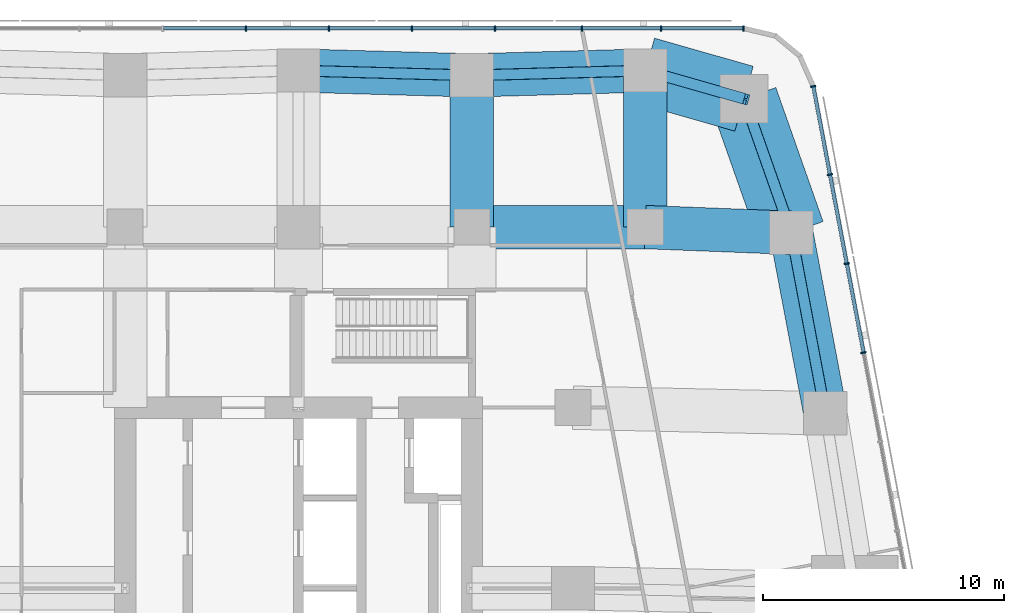
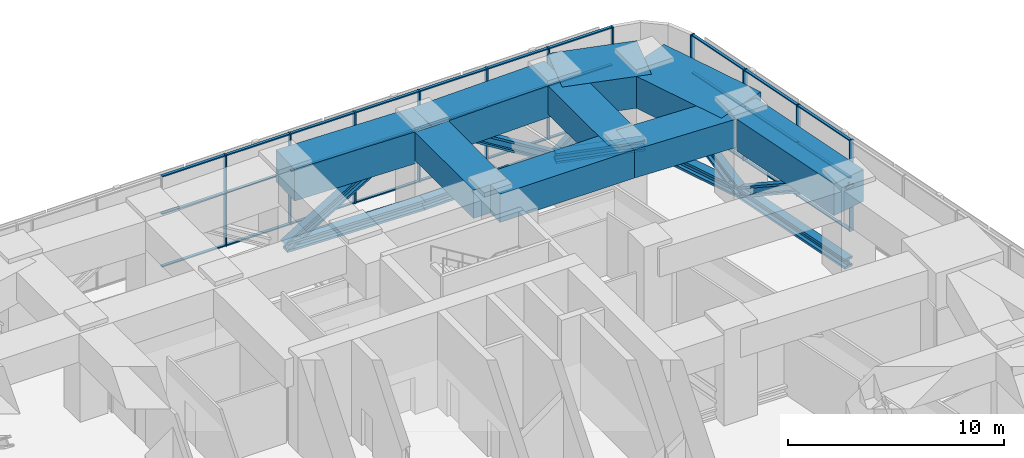
# One storey, part 8 of 17: 51 members, 9 beams, 2 elements without a shape of their own.
"""IFC4 building model written with IfcOpenShell, lengths in metres."""

from ifc_helpers import new_model, si_unit, direction, frame, origin, origin_2d, place, context, subcontext, project, spatial, rectangle, i_section, extrude, material, material_profile, profile_set, type_object, element, aggregate, save


model = new_model("IFC4")

# Units and contexts
model_context = context("Model", 3, precision=1e-05, world=origin(), true_north=direction((0.0, 1.0)))
body_context = subcontext(model_context, "Body", "Model", "MODEL_VIEW")
ifc_project = project(units=[si_unit("LENGTHUNIT", "METRE"), si_unit("AREAUNIT", "SQUARE_METRE"), si_unit("VOLUMEUNIT", "CUBIC_METRE"), si_unit("PLANEANGLEUNIT", "RADIAN"), si_unit("MASSUNIT", "GRAM", prefix="KILO")], contexts=[model_context])

# Site, building, storey
site_placement = place(None, origin())
site = spatial("IfcSite", under=ifc_project, at=site_placement, CompositionType="ELEMENT")
building_placement = place(site_placement, origin())
building = spatial("IfcBuilding", under=site, at=building_placement, Name="Sheger Commons Tower", CompositionType="ELEMENT")
storey_placement = place(building_placement, frame((0.0, 0.0, 188.300048828125)))
storey = spatial("IfcBuildingStorey", under=building, at=storey_placement, Name="L48", CompositionType="ELEMENT", Elevation=188.300048828125)

# Beams
ifc_material_1 = material(Name="Concrete C50/60", Category="concrete")
ifc_material_profile_1 = material_profile(ifc_material_1, rectangle(XDim=1.800048828125, YDim=1.60009765625, at=origin_2d()), Name="RC 1800x1600")
ifc_profile_set_1 = profile_set([ifc_material_profile_1], Name="Concrete C50/60")
beam_type_1 = type_object("IfcBeamType", Name="BEAM RC 1800x1600", PredefinedType="BEAM", material=ifc_profile_set_1)
beam_1_placement = place(storey_placement, frame((28.800048828125, 37.5, 4.349853515625), z_axis=(1.0, 0.0, 0.0), x_axis=(0.0, 1.0, 0.0)))
element("IfcBeam", 1, at=beam_1_placement, inside=storey, type_object=beam_type_1, Name="Beam 5/F-6/F under L49", PredefinedType="BEAM", context=body_context, shape_type="SweptSolid", body=[
    extrude(rectangle(XDim=1.800048828125, YDim=1.60009765625, at=origin_2d()), origin(), (0.0, 0.0, 1.0), 7.199951171875),
])
beam_2_placement = place(storey_placement, frame((36.0, 37.5, 4.349853515625), z_axis=(0.99923673074, -0.039063486011, 0.0), x_axis=(0.039063486011, 0.99923673074, 0.0)))
element("IfcBeam", 2, at=beam_2_placement, inside=storey, type_object=beam_type_1, Name="Beam 6/F-E/F under L49", PredefinedType="BEAM", context=body_context, shape_type="SweptSolid", body=[
    extrude(rectangle(XDim=1.800048828125, YDim=1.60009765625, at=origin_2d()), origin(), (0.0, 0.0, 1.0), 6.068603515625),
])
beam_3_placement = place(storey_placement, frame((28.800048828125, 37.5, 4.349853515625), z_axis=(0.0, 1.0, 0.0), x_axis=(-1.0, 0.0, 0.0)))
element("IfcBeam", 3, at=beam_3_placement, inside=storey, type_object=beam_type_1, Name="Beam 5/F-5/G under L49", PredefinedType="BEAM", context=body_context, shape_type="SweptSolid", body=[
    extrude(rectangle(XDim=1.800048828125, YDim=1.60009765625, at=origin_2d()), origin(), (0.0, 0.0, 1.0), 6.300048828125),
])
beam_4_placement = place(storey_placement, frame((36.0, 37.5, 4.349853515625), z_axis=(0.0, 1.0, 0.0), x_axis=(-1.0, 0.0, 0.0)))
element("IfcBeam", 4, at=beam_4_placement, inside=storey, type_object=beam_type_1, Name="Beam 6/F-6/G under L49", PredefinedType="BEAM", context=body_context, shape_type="SweptSolid", body=[
    extrude(rectangle(XDim=1.800048828125, YDim=1.60009765625, at=origin_2d()), origin(), (0.0, 0.0, 1.0), 6.5),
])

# Members
ifc_material_2 = material(Name="Steel S460", Category="steel")
ifc_material_profile_2 = material_profile(ifc_material_2, i_section(OverallWidth=0.44189453125, OverallDepth=0.531005859375, WebThickness=0.06591796875, FlangeThickness=0.10595703125, at=origin_2d()), Name="HD 400x900")
ifc_profile_set_2 = profile_set([ifc_material_profile_2], Name="Steel S460")
member_type_1 = type_object("IfcMemberType", Name="BRACE HD 400x900", PredefinedType="BRACE", material=ifc_profile_set_2)
member_1_placement = place(storey_placement, frame((42.06396484375, 37.262939453125, 0.300048828125), z_axis=(0.159358767921, -0.844051956988, 0.51203620672), x_axis=(0.982639655108, 0.18552441405, 0.0)))
element("IfcMember", 5, at=member_1_placement, inside=storey, type_object=member_type_1, Name="Belt truss diagonal 43.480,29.763-42.064,37.263", PredefinedType="BRACE", context=body_context, shape_type="SweptSolid", body=[
    extrude(i_section(OverallWidth=0.44189453125, OverallDepth=0.531005859375, WebThickness=0.06591796875, FlangeThickness=0.10595703125, at=origin_2d()), origin(), (0.0, 0.0, 1.0), 8.8857421875),
])
member_2_placement = place(storey_placement, frame((42.06396484375, 37.262939453125, 0.300048828125), z_axis=(-0.26324846721, 0.746995370556, 0.61049009892), x_axis=(-0.943147526102, -0.332374403357, 0.0)))
element("IfcMember", 6, at=member_2_placement, inside=storey, type_object=member_type_1, Name="Belt truss diagonal 42.064,37.263-40.102,42.830", PredefinedType="BRACE", context=body_context, shape_type="SweptSolid", body=[
    extrude(i_section(OverallWidth=0.44189453125, OverallDepth=0.531005859375, WebThickness=0.06591796875, FlangeThickness=0.10595703125, at=origin_2d()), origin(), (0.0, 0.0, 1.0), 7.45263671875),
])
member_3_placement = place(storey_placement, frame((36.0, 44.0, 0.300048828125), z_axis=(0.657729176503, -0.187587085692, 0.72952273142), x_axis=(0.274267541221, 0.961653428129, 0.0)))
element("IfcMember", 7, at=member_3_placement, inside=storey, type_object=member_type_1, Name="Belt truss diagonal 40.102,42.830-36.000,44.000", PredefinedType="BRACE", context=body_context, shape_type="SweptSolid", body=[
    extrude(i_section(OverallWidth=0.44189453125, OverallDepth=0.531005859375, WebThickness=0.06591796875, FlangeThickness=0.10595703125, at=origin_2d()), origin(), (0.0, 0.0, 1.0), 6.236572265625),
])
for number, where, z_axis, x_axis, name in (
    (8, (36.0, 44.0, 0.300048828125), (-0.845125233845, -0.023470128735, 0.534052892677), (0.027760481514, -0.999614603568, 0.0), "Belt truss diagonal 36.000,44.000-28.800,43.800"),
    (9, (21.60009765625, 44.0, 0.300048828125), (0.845125233845, -0.023470128735, 0.534052892677), (0.027760481514, 0.999614603568, 0.0), "Belt truss diagonal 28.800,43.800-21.600,44.000"),
):
    element("IfcMember", number, at=place(storey_placement, frame(where, z_axis=z_axis, x_axis=x_axis)), inside=storey, type_object=member_type_1, Name=name, PredefinedType="BRACE", context=body_context, shape_type="SweptSolid", body=[
        extrude(i_section(OverallWidth=0.44189453125, OverallDepth=0.531005859375, WebThickness=0.06591796875, FlangeThickness=0.10595703125, at=origin_2d()), origin(), (0.0, 0.0, 1.0), 8.519287109375),
    ])
ifc_material_3 = material(Name="Steel S460", Category="steel")
ifc_material_profile_3 = material_profile(ifc_material_3, i_section(OverallWidth=0.4541015625, OverallDepth=0.569091796875, WebThickness=0.077880859375, FlangeThickness=0.125, at=origin_2d()), Name="HD 400x1086")
ifc_profile_set_3 = profile_set([ifc_material_profile_3], Name="Steel S460")
member_type_2 = type_object("IfcMemberType", Name="CHORD HD 400x1086", PredefinedType="CHORD", material=ifc_profile_set_3)
member_4_placement = place(storey_placement, frame((43.47998046875, 29.762939453125, 0.300048828125), z_axis=(-0.18552441405, 0.982639655108, 0.0), x_axis=(-0.982639655108, -0.18552441405, 0.0)))
element("IfcMember", 10, at=member_4_placement, inside=storey, type_object=member_type_2, Name="Belt truss bottom chord 43.480,29.763-42.064,37.263", PredefinedType="CHORD", context=body_context, shape_type="SweptSolid", body=[
    extrude(i_section(OverallWidth=0.4541015625, OverallDepth=0.569091796875, WebThickness=0.077880859375, FlangeThickness=0.125, at=origin_2d()), origin(), (0.0, 0.0, 1.0), 7.632568359375),
])
member_5_placement = place(storey_placement, frame((42.06396484375, 37.262939453125, 0.300048828125), z_axis=(-0.332374403357, 0.943147526102, 0.0), x_axis=(-0.943147526102, -0.332374403357, 0.0)))
element("IfcMember", 11, at=member_5_placement, inside=storey, type_object=member_type_2, Name="Belt truss bottom chord 42.064,37.263-40.102,42.830", PredefinedType="CHORD", context=body_context, shape_type="SweptSolid", body=[
    extrude(i_section(OverallWidth=0.4541015625, OverallDepth=0.569091796875, WebThickness=0.077880859375, FlangeThickness=0.125, at=origin_2d()), origin(), (0.0, 0.0, 1.0), 5.90283203125),
])
member_6_placement = place(storey_placement, frame((40.10205078125, 42.830078125, 0.300048828125), z_axis=(-0.961653428129, 0.274267541221, 0.0), x_axis=(-0.274267541221, -0.961653428129, 0.0)))
element("IfcMember", 12, at=member_6_placement, inside=storey, type_object=member_type_2, Name="Belt truss bottom chord 40.102,42.830-36.000,44.000", PredefinedType="CHORD", context=body_context, shape_type="SweptSolid", body=[
    extrude(i_section(OverallWidth=0.4541015625, OverallDepth=0.569091796875, WebThickness=0.077880859375, FlangeThickness=0.125, at=origin_2d()), origin(), (0.0, 0.0, 1.0), 4.265625),
])
for number, where, z_axis, x_axis, name in (
    (13, (36.0, 44.0, 0.300048828125), (-0.999614603568, -0.027760481514, 0.0), (0.027760481514, -0.999614603568, 0.0), "Belt truss bottom chord 36.000,44.000-28.800,43.800"),
    (14, (28.800048828125, 43.800048828125, 0.300048828125), (-0.999614603568, 0.027760481514, 0.0), (-0.027760481514, -0.999614603568, 0.0), "Belt truss bottom chord 28.800,43.800-21.600,44.000"),
):
    element("IfcMember", number, at=place(storey_placement, frame(where, z_axis=z_axis, x_axis=x_axis)), inside=storey, type_object=member_type_2, Name=name, PredefinedType="CHORD", context=body_context, shape_type="SweptSolid", body=[
        extrude(i_section(OverallWidth=0.4541015625, OverallDepth=0.569091796875, WebThickness=0.077880859375, FlangeThickness=0.125, at=origin_2d()), origin(), (0.0, 0.0, 1.0), 7.20263671875),
    ])

# Curtain wall, members
ifc_material_4 = material(Name="Black aluminium curtain wall, dark tinted glazing", Category="aluminium")
curtain_wall_type = type_object("IfcCurtainWallType", Name="CURTAIN WALL CW3 SKY FLOOR", PredefinedType="USERDEFINED", material=ifc_material_4)
curtain_wall_1_placement = place(storey_placement, origin())
curtain_wall_1 = element("IfcCurtainWall", 15, at=curtain_wall_1_placement, inside=storey, type_object=curtain_wall_type, Name="Curtain Wall Cw3 Sky Floor E1 L48", ObjectType="UNITISED CURTAIN WALL", PredefinedType="USERDEFINED")
ifc_material_5 = material(Name="Black anodised aluminium", Category="aluminium")
ifc_material_profile_4 = material_profile(ifc_material_5, rectangle(XDim=0.22509765625, YDim=0.06494140625, at=origin_2d()), Name="AL 65x225")
ifc_profile_set_4 = profile_set([ifc_material_profile_4], Name="Black anodised aluminium")
member_type_3 = type_object("IfcMemberType", Name="MULLION AL 65x225", PredefinedType="MULLION", material=ifc_profile_set_4)
member_7_placement = place(storey_placement, frame((45.0654296875, 32.283935546875, 0.0), z_axis=(0.0, 0.0, 1.0), x_axis=(-0.982623514181, -0.185609884918, 0.0)))
member_7 = element("IfcMember", 16, at=member_7_placement, type_object=member_type_3, Name="CW3 mullion 11", PredefinedType="MULLION", context=body_context, shape_type="SweptSolid", body=[
    extrude(rectangle(XDim=0.22509765625, YDim=0.06494140625, at=origin_2d()), origin(), (0.0, 0.0, 1.0), 5.14990234375),
])
member_8_placement = place(storey_placement, frame((44.366943359375, 35.9814453125, 0.0), z_axis=(0.0, 0.0, 1.0), x_axis=(-0.982623514181, -0.185609884918, 0.0)))
member_8 = element("IfcMember", 17, at=member_8_placement, type_object=member_type_3, Name="CW3 mullion 12", PredefinedType="MULLION", context=body_context, shape_type="SweptSolid", body=[
    extrude(rectangle(XDim=0.22509765625, YDim=0.06494140625, at=origin_2d()), origin(), (0.0, 0.0, 1.0), 5.14990234375),
])
member_9_placement = place(storey_placement, frame((43.66845703125, 39.67919921875, 0.0), z_axis=(0.0, 0.0, 1.0), x_axis=(-0.982623514181, -0.185609884918, 0.0)))
member_9 = element("IfcMember", 18, at=member_9_placement, type_object=member_type_3, Name="CW3 mullion 13", PredefinedType="MULLION", context=body_context, shape_type="SweptSolid", body=[
    extrude(rectangle(XDim=0.22509765625, YDim=0.06494140625, at=origin_2d()), origin(), (0.0, 0.0, 1.0), 5.14990234375),
])
member_10_placement = place(storey_placement, frame((42.97607421875, 43.344970703125, 0.0), z_axis=(0.0, 0.0, 1.0), x_axis=(-0.982623514181, -0.185609884918, 0.0)))
member_10 = element("IfcMember", 19, at=member_10_placement, type_object=member_type_3, Name="CW3 mullion 14", PredefinedType="MULLION", context=body_context, shape_type="SweptSolid", body=[
    extrude(rectangle(XDim=0.22509765625, YDim=0.06494140625, at=origin_2d()), origin(), (0.0, 0.0, 1.0), 5.14990234375),
])

curtain_wall_2_placement = place(storey_placement, origin())
curtain_wall_2 = element("IfcCurtainWall", 20, at=curtain_wall_2_placement, inside=storey, type_object=curtain_wall_type, Name="Curtain Wall Cw3 Sky Floor N1 L48", ObjectType="UNITISED CURTAIN WALL", PredefinedType="USERDEFINED")
member_11_placement = place(storey_placement, frame((40.073486328125, 45.75, 0.0), z_axis=(0.0, 0.0, 1.0), x_axis=(0.0, -1.0, 0.0)))
member_11 = element("IfcMember", 21, at=member_11_placement, type_object=member_type_3, Name="CW3 mullion 1", PredefinedType="MULLION", context=body_context, shape_type="SweptSolid", body=[
    extrude(rectangle(XDim=0.22509765625, YDim=0.06494140625, at=origin_2d()), origin(), (0.0, 0.0, 1.0), 5.14990234375),
])
member_12_placement = place(storey_placement, frame((36.656982421875, 45.75, 0.0), z_axis=(0.0, 0.0, 1.0), x_axis=(0.0, -1.0, 0.0)))
member_12 = element("IfcMember", 22, at=member_12_placement, type_object=member_type_3, Name="CW3 mullion 2", PredefinedType="MULLION", context=body_context, shape_type="SweptSolid", body=[
    extrude(rectangle(XDim=0.22509765625, YDim=0.06494140625, at=origin_2d()), origin(), (0.0, 0.0, 1.0), 5.14990234375),
])
member_13_placement = place(storey_placement, frame((33.363037109375, 45.75, 0.0), z_axis=(0.0, 0.0, 1.0), x_axis=(0.0, -1.0, 0.0)))
member_13 = element("IfcMember", 23, at=member_13_placement, type_object=member_type_3, Name="CW3 mullion 3", PredefinedType="MULLION", context=body_context, shape_type="SweptSolid", body=[
    extrude(rectangle(XDim=0.22509765625, YDim=0.06494140625, at=origin_2d()), origin(), (0.0, 0.0, 1.0), 5.14990234375),
])
member_14_placement = place(storey_placement, frame((29.758056640625, 45.75, 0.0), z_axis=(0.0, 0.0, 1.0), x_axis=(0.0, -1.0, 0.0)))
member_14 = element("IfcMember", 24, at=member_14_placement, type_object=member_type_3, Name="CW3 mullion 4", PredefinedType="MULLION", context=body_context, shape_type="SweptSolid", body=[
    extrude(rectangle(XDim=0.22509765625, YDim=0.06494140625, at=origin_2d()), origin(), (0.0, 0.0, 1.0), 5.14990234375),
])
member_15_placement = place(storey_placement, frame((26.30908203125, 45.75, 0.0), z_axis=(0.0, 0.0, 1.0), x_axis=(0.0, -1.0, 0.0)))
member_15 = element("IfcMember", 25, at=member_15_placement, type_object=member_type_3, Name="CW3 mullion 5", PredefinedType="MULLION", context=body_context, shape_type="SweptSolid", body=[
    extrude(rectangle(XDim=0.22509765625, YDim=0.06494140625, at=origin_2d()), origin(), (0.0, 0.0, 1.0), 5.14990234375),
])
member_16_placement = place(storey_placement, frame((22.85888671875, 45.75, 0.0), z_axis=(0.0, 0.0, 1.0), x_axis=(0.0, -1.0, 0.0)))
member_16 = element("IfcMember", 26, at=member_16_placement, type_object=member_type_3, Name="CW3 mullion 6", PredefinedType="MULLION", context=body_context, shape_type="SweptSolid", body=[
    extrude(rectangle(XDim=0.22509765625, YDim=0.06494140625, at=origin_2d()), origin(), (0.0, 0.0, 1.0), 5.14990234375),
])
member_17_placement = place(storey_placement, frame((19.409912109375, 45.75, 0.0), z_axis=(0.0, 0.0, 1.0), x_axis=(0.0, -1.0, 0.0)))
member_17 = element("IfcMember", 27, at=member_17_placement, type_object=member_type_3, Name="CW3 mullion 7", PredefinedType="MULLION", context=body_context, shape_type="SweptSolid", body=[
    extrude(rectangle(XDim=0.22509765625, YDim=0.06494140625, at=origin_2d()), origin(), (0.0, 0.0, 1.0), 5.14990234375),
])

# Beams
ifc_material_6 = material(Name="Concrete C50/60", Category="concrete")
ifc_material_profile_5 = material_profile(ifc_material_6, rectangle(XDim=1.800048828125, YDim=1.800048828125, at=origin_2d()), Name="RC 1800x1800")
ifc_profile_set_5 = profile_set([ifc_material_profile_5], Name="Concrete C50/60")
beam_type_2 = type_object("IfcBeamType", Name="SPANDREL RC 1800x1800", PredefinedType="SPANDREL", material=ifc_profile_set_5)
beam_5_placement = place(storey_placement, frame((43.47998046875, 29.762939453125, 4.25), z_axis=(-0.18552441405, 0.982639655108, 0.0), x_axis=(-0.982639655108, -0.18552441405, 0.0)))
element("IfcBeam", 28, at=beam_5_placement, inside=storey, type_object=beam_type_2, Name="Beam E/E-E/F under L49", PredefinedType="SPANDREL", context=body_context, shape_type="SweptSolid", body=[
    extrude(rectangle(XDim=1.800048828125, YDim=1.800048828125, at=origin_2d()), origin(), (0.0, 0.0, 1.0), 7.632568359375),
])
for number, where, z_axis, x_axis, name in (
    (29, (36.0, 44.0, 4.25), (-0.999614603568, -0.027760481514, 0.0), (0.027760481514, -0.999614603568, 0.0), "Beam 6/G-5/G under L49"),
    (30, (28.800048828125, 43.800048828125, 4.25), (-0.999614603568, 0.027760481514, 0.0), (-0.027760481514, -0.999614603568, 0.0), "Beam 5/G-4/G under L49"),
):
    element("IfcBeam", number, at=place(storey_placement, frame(where, z_axis=z_axis, x_axis=x_axis)), inside=storey, type_object=beam_type_2, Name=name, PredefinedType="SPANDREL", context=body_context, shape_type="SweptSolid", body=[
        extrude(rectangle(XDim=1.800048828125, YDim=1.800048828125, at=origin_2d()), origin(), (0.0, 0.0, 1.0), 7.20263671875),
    ])
ifc_material_7 = material(Name="Concrete C50/60", Category="concrete")
ifc_material_profile_6 = material_profile(ifc_material_7, rectangle(XDim=2.800048828125, YDim=1.800048828125, at=origin_2d()), Name="RC 2800x1800")
ifc_profile_set_6 = profile_set([ifc_material_profile_6], Name="Concrete C50/60")
beam_type_3 = type_object("IfcBeamType", Name="SPANDREL RC 2800x1800", PredefinedType="SPANDREL", material=ifc_profile_set_6)
beam_6_placement = place(storey_placement, frame((42.06396484375, 37.262939453125, 4.25), z_axis=(-0.332374403357, 0.943147526102, 0.0), x_axis=(-0.943147526102, -0.332374403357, 0.0)))
element("IfcBeam", 31, at=beam_6_placement, inside=storey, type_object=beam_type_3, Name="Beam E/F-41.490,44.505 under L49", PredefinedType="SPANDREL", context=body_context, shape_type="SweptSolid", body=[
    extrude(rectangle(XDim=2.800048828125, YDim=1.800048828125, at=origin_2d()), origin(), (0.0, 0.0, 1.0), 5.90283203125),
])
beam_7_placement = place(storey_placement, frame((40.10205078125, 42.830078125, 4.25), z_axis=(-0.961653428129, 0.274267541221, 0.0), x_axis=(-0.274267541221, -0.961653428129, 0.0)))
element("IfcBeam", 32, at=beam_7_placement, inside=storey, type_object=beam_type_3, Name="Beam 41.490,44.505-6/G under L49", PredefinedType="SPANDREL", context=body_context, shape_type="SweptSolid", body=[
    extrude(rectangle(XDim=2.800048828125, YDim=1.800048828125, at=origin_2d()), origin(), (0.0, 0.0, 1.0), 4.265625),
])

# Member
ifc_material_8 = material(Name="Black anodised aluminium", Category="aluminium")
ifc_material_profile_7 = material_profile(ifc_material_8, rectangle(XDim=0.14990234375, YDim=0.06494140625, at=origin_2d()), Name="AL 65x150")
ifc_profile_set_7 = profile_set([ifc_material_profile_7], Name="Black anodised aluminium")
member_type_4 = type_object("IfcMemberType", Name="TRANSOM AL 65x150", PredefinedType="USERDEFINED", material=ifc_profile_set_7)
member_18_placement = place(storey_placement, frame((45.059326171875, 32.31591796875, 0.032470703125), z_axis=(-0.185591899983, 0.982626911224, 0.0), x_axis=(-0.982626911224, -0.185591899983, 0.0)))
member_18 = element("IfcMember", 33, at=member_18_placement, type_object=member_type_4, Name="CW3 transom 11.1", ObjectType="TRANSOM", PredefinedType="USERDEFINED", context=body_context, shape_type="SweptSolid", body=[
    extrude(rectangle(XDim=0.14990234375, YDim=0.06494140625, at=origin_2d()), origin(), (0.0, 0.0, 1.0), 3.69775390625),
])

member_19_placement = place(storey_placement, frame((45.059326171875, 32.31591796875, 3.0), z_axis=(-0.185591899983, 0.982626911224, 0.0), x_axis=(-0.982626911224, -0.185591899983, 0.0)))
member_19 = element("IfcMember", 34, at=member_19_placement, type_object=member_type_4, Name="CW3 transom 11.2", ObjectType="TRANSOM", PredefinedType="USERDEFINED", context=body_context, shape_type="SweptSolid", body=[
    extrude(rectangle(XDim=0.14990234375, YDim=0.06494140625, at=origin_2d()), origin(), (0.0, 0.0, 1.0), 3.69775390625),
])

member_20_placement = place(storey_placement, frame((45.059326171875, 32.31591796875, 5.117431640625), z_axis=(-0.185591899983, 0.982626911224, 0.0), x_axis=(-0.982626911224, -0.185591899983, 0.0)))
member_20 = element("IfcMember", 35, at=member_20_placement, type_object=member_type_4, Name="CW3 transom 11.3", ObjectType="TRANSOM", PredefinedType="USERDEFINED", context=body_context, shape_type="SweptSolid", body=[
    extrude(rectangle(XDim=0.14990234375, YDim=0.06494140625, at=origin_2d()), origin(), (0.0, 0.0, 1.0), 3.69775390625),
])

member_21_placement = place(storey_placement, frame((44.36083984375, 36.013427734375, 0.032470703125), z_axis=(-0.185579860214, 0.982629185137, 0.0), x_axis=(-0.982629185137, -0.185579860214, 0.0)))
member_21 = element("IfcMember", 36, at=member_21_placement, type_object=member_type_4, Name="CW3 transom 12.1", ObjectType="TRANSOM", PredefinedType="USERDEFINED", context=body_context, shape_type="SweptSolid", body=[
    extrude(rectangle(XDim=0.14990234375, YDim=0.06494140625, at=origin_2d()), origin(), (0.0, 0.0, 1.0), 3.697998046875),
])

member_22_placement = place(storey_placement, frame((44.36083984375, 36.013427734375, 3.0), z_axis=(-0.185579860214, 0.982629185137, 0.0), x_axis=(-0.982629185137, -0.185579860214, 0.0)))
member_22 = element("IfcMember", 37, at=member_22_placement, type_object=member_type_4, Name="CW3 transom 12.2", ObjectType="TRANSOM", PredefinedType="USERDEFINED", context=body_context, shape_type="SweptSolid", body=[
    extrude(rectangle(XDim=0.14990234375, YDim=0.06494140625, at=origin_2d()), origin(), (0.0, 0.0, 1.0), 3.697998046875),
])

member_23_placement = place(storey_placement, frame((44.36083984375, 36.013427734375, 5.117431640625), z_axis=(-0.185579860214, 0.982629185137, 0.0), x_axis=(-0.982629185137, -0.185579860214, 0.0)))
member_23 = element("IfcMember", 38, at=member_23_placement, type_object=member_type_4, Name="CW3 transom 12.3", ObjectType="TRANSOM", PredefinedType="USERDEFINED", context=body_context, shape_type="SweptSolid", body=[
    extrude(rectangle(XDim=0.14990234375, YDim=0.06494140625, at=origin_2d()), origin(), (0.0, 0.0, 1.0), 3.697998046875),
])

member_24_placement = place(storey_placement, frame((43.662353515625, 39.7109375, 0.032470703125), z_axis=(-0.185538899324, 0.982636920148, 0.0), x_axis=(-0.982636920148, -0.185538899324, 0.0)))
member_24 = element("IfcMember", 39, at=member_24_placement, type_object=member_type_4, Name="CW3 transom 13.1", ObjectType="TRANSOM", PredefinedType="USERDEFINED", context=body_context, shape_type="SweptSolid", body=[
    extrude(rectangle(XDim=0.14990234375, YDim=0.06494140625, at=origin_2d()), origin(), (0.0, 0.0, 1.0), 3.666015625),
])

member_25_placement = place(storey_placement, frame((43.662353515625, 39.7109375, 3.0), z_axis=(-0.185538899324, 0.982636920148, 0.0), x_axis=(-0.982636920148, -0.185538899324, 0.0)))
member_25 = element("IfcMember", 40, at=member_25_placement, type_object=member_type_4, Name="CW3 transom 13.2", ObjectType="TRANSOM", PredefinedType="USERDEFINED", context=body_context, shape_type="SweptSolid", body=[
    extrude(rectangle(XDim=0.14990234375, YDim=0.06494140625, at=origin_2d()), origin(), (0.0, 0.0, 1.0), 3.666015625),
])

member_26_placement = place(storey_placement, frame((43.662353515625, 39.7109375, 5.117431640625), z_axis=(-0.185538899324, 0.982636920148, 0.0), x_axis=(-0.982636920148, -0.185538899324, 0.0)))
member_26 = element("IfcMember", 41, at=member_26_placement, type_object=member_type_4, Name="CW3 transom 13.3", ObjectType="TRANSOM", PredefinedType="USERDEFINED", context=body_context, shape_type="SweptSolid", body=[
    extrude(rectangle(XDim=0.14990234375, YDim=0.06494140625, at=origin_2d()), origin(), (0.0, 0.0, 1.0), 3.666015625),
])

aggregate(curtain_wall_1, [member_7, member_8, member_9, member_10, member_18, member_19, member_20, member_21, member_22, member_23, member_24, member_25, member_26])

member_27_placement = place(storey_placement, frame((40.041015625, 45.75, 0.032470703125), z_axis=(-1.0, 0.0, 0.0), x_axis=(0.0, -1.0, 0.0)))
member_27 = element("IfcMember", 42, at=member_27_placement, type_object=member_type_4, Name="CW3 transom 1.1", ObjectType="TRANSOM", PredefinedType="USERDEFINED", context=body_context, shape_type="SweptSolid", body=[
    extrude(rectangle(XDim=0.14990234375, YDim=0.06494140625, at=origin_2d()), origin(), (0.0, 0.0, 1.0), 3.3515625),
])

member_28_placement = place(storey_placement, frame((40.041015625, 45.75, 3.0), z_axis=(-1.0, 0.0, 0.0), x_axis=(0.0, -1.0, 0.0)))
member_28 = element("IfcMember", 43, at=member_28_placement, type_object=member_type_4, Name="CW3 transom 1.2", ObjectType="TRANSOM", PredefinedType="USERDEFINED", context=body_context, shape_type="SweptSolid", body=[
    extrude(rectangle(XDim=0.14990234375, YDim=0.06494140625, at=origin_2d()), origin(), (0.0, 0.0, 1.0), 3.3515625),
])

member_29_placement = place(storey_placement, frame((40.041015625, 45.75, 5.117431640625), z_axis=(-1.0, 0.0, 0.0), x_axis=(0.0, -1.0, 0.0)))
member_29 = element("IfcMember", 44, at=member_29_placement, type_object=member_type_4, Name="CW3 transom 1.3", ObjectType="TRANSOM", PredefinedType="USERDEFINED", context=body_context, shape_type="SweptSolid", body=[
    extrude(rectangle(XDim=0.14990234375, YDim=0.06494140625, at=origin_2d()), origin(), (0.0, 0.0, 1.0), 3.3515625),
])

member_30_placement = place(storey_placement, frame((36.62451171875, 45.75, 0.032470703125), z_axis=(-1.0, 0.0, 0.0), x_axis=(0.0, -1.0, 0.0)))
member_30 = element("IfcMember", 45, at=member_30_placement, type_object=member_type_4, Name="CW3 transom 2.1", ObjectType="TRANSOM", PredefinedType="USERDEFINED", context=body_context, shape_type="SweptSolid", body=[
    extrude(rectangle(XDim=0.14990234375, YDim=0.06494140625, at=origin_2d()), origin(), (0.0, 0.0, 1.0), 3.22900390625),
])

member_31_placement = place(storey_placement, frame((36.62451171875, 45.75, 3.0), z_axis=(-1.0, 0.0, 0.0), x_axis=(0.0, -1.0, 0.0)))
member_31 = element("IfcMember", 46, at=member_31_placement, type_object=member_type_4, Name="CW3 transom 2.2", ObjectType="TRANSOM", PredefinedType="USERDEFINED", context=body_context, shape_type="SweptSolid", body=[
    extrude(rectangle(XDim=0.14990234375, YDim=0.06494140625, at=origin_2d()), origin(), (0.0, 0.0, 1.0), 3.22900390625),
])

member_32_placement = place(storey_placement, frame((36.62451171875, 45.75, 5.117431640625), z_axis=(-1.0, 0.0, 0.0), x_axis=(0.0, -1.0, 0.0)))
member_32 = element("IfcMember", 47, at=member_32_placement, type_object=member_type_4, Name="CW3 transom 2.3", ObjectType="TRANSOM", PredefinedType="USERDEFINED", context=body_context, shape_type="SweptSolid", body=[
    extrude(rectangle(XDim=0.14990234375, YDim=0.06494140625, at=origin_2d()), origin(), (0.0, 0.0, 1.0), 3.22900390625),
])

member_33_placement = place(storey_placement, frame((33.33056640625, 45.75, 0.032470703125), z_axis=(-1.0, 0.0, 0.0), x_axis=(0.0, -1.0, 0.0)))
member_33 = element("IfcMember", 48, at=member_33_placement, type_object=member_type_4, Name="CW3 transom 3.1", ObjectType="TRANSOM", PredefinedType="USERDEFINED", context=body_context, shape_type="SweptSolid", body=[
    extrude(rectangle(XDim=0.14990234375, YDim=0.06494140625, at=origin_2d()), origin(), (0.0, 0.0, 1.0), 3.5400390625),
])

member_34_placement = place(storey_placement, frame((33.33056640625, 45.75, 3.0), z_axis=(-1.0, 0.0, 0.0), x_axis=(0.0, -1.0, 0.0)))
member_34 = element("IfcMember", 49, at=member_34_placement, type_object=member_type_4, Name="CW3 transom 3.2", ObjectType="TRANSOM", PredefinedType="USERDEFINED", context=body_context, shape_type="SweptSolid", body=[
    extrude(rectangle(XDim=0.14990234375, YDim=0.06494140625, at=origin_2d()), origin(), (0.0, 0.0, 1.0), 3.5400390625),
])

member_35_placement = place(storey_placement, frame((33.33056640625, 45.75, 5.117431640625), z_axis=(-1.0, 0.0, 0.0), x_axis=(0.0, -1.0, 0.0)))
member_35 = element("IfcMember", 50, at=member_35_placement, type_object=member_type_4, Name="CW3 transom 3.3", ObjectType="TRANSOM", PredefinedType="USERDEFINED", context=body_context, shape_type="SweptSolid", body=[
    extrude(rectangle(XDim=0.14990234375, YDim=0.06494140625, at=origin_2d()), origin(), (0.0, 0.0, 1.0), 3.5400390625),
])

member_36_placement = place(storey_placement, frame((29.7255859375, 45.75, 0.032470703125), z_axis=(-1.0, 0.0, 0.0), x_axis=(0.0, -1.0, 0.0)))
member_36 = element("IfcMember", 51, at=member_36_placement, type_object=member_type_4, Name="CW3 transom 4.1", ObjectType="TRANSOM", PredefinedType="USERDEFINED", context=body_context, shape_type="SweptSolid", body=[
    extrude(rectangle(XDim=0.14990234375, YDim=0.06494140625, at=origin_2d()), origin(), (0.0, 0.0, 1.0), 3.384033203125),
])

member_37_placement = place(storey_placement, frame((29.7255859375, 45.75, 3.0), z_axis=(-1.0, 0.0, 0.0), x_axis=(0.0, -1.0, 0.0)))
member_37 = element("IfcMember", 52, at=member_37_placement, type_object=member_type_4, Name="CW3 transom 4.2", ObjectType="TRANSOM", PredefinedType="USERDEFINED", context=body_context, shape_type="SweptSolid", body=[
    extrude(rectangle(XDim=0.14990234375, YDim=0.06494140625, at=origin_2d()), origin(), (0.0, 0.0, 1.0), 3.384033203125),
])

member_38_placement = place(storey_placement, frame((29.7255859375, 45.75, 5.117431640625), z_axis=(-1.0, 0.0, 0.0), x_axis=(0.0, -1.0, 0.0)))
member_38 = element("IfcMember", 53, at=member_38_placement, type_object=member_type_4, Name="CW3 transom 4.3", ObjectType="TRANSOM", PredefinedType="USERDEFINED", context=body_context, shape_type="SweptSolid", body=[
    extrude(rectangle(XDim=0.14990234375, YDim=0.06494140625, at=origin_2d()), origin(), (0.0, 0.0, 1.0), 3.384033203125),
])

member_39_placement = place(storey_placement, frame((26.276611328125, 45.75, 0.032470703125), z_axis=(-1.0, 0.0, 0.0), x_axis=(0.0, -1.0, 0.0)))
member_39 = element("IfcMember", 54, at=member_39_placement, type_object=member_type_4, Name="CW3 transom 5.1", ObjectType="TRANSOM", PredefinedType="USERDEFINED", context=body_context, shape_type="SweptSolid", body=[
    extrude(rectangle(XDim=0.14990234375, YDim=0.06494140625, at=origin_2d()), origin(), (0.0, 0.0, 1.0), 3.385009765625),
])

member_40_placement = place(storey_placement, frame((26.276611328125, 45.75, 3.0), z_axis=(-1.0, 0.0, 0.0), x_axis=(0.0, -1.0, 0.0)))
member_40 = element("IfcMember", 55, at=member_40_placement, type_object=member_type_4, Name="CW3 transom 5.2", ObjectType="TRANSOM", PredefinedType="USERDEFINED", context=body_context, shape_type="SweptSolid", body=[
    extrude(rectangle(XDim=0.14990234375, YDim=0.06494140625, at=origin_2d()), origin(), (0.0, 0.0, 1.0), 3.385009765625),
])

member_41_placement = place(storey_placement, frame((26.276611328125, 45.75, 5.117431640625), z_axis=(-1.0, 0.0, 0.0), x_axis=(0.0, -1.0, 0.0)))
member_41 = element("IfcMember", 56, at=member_41_placement, type_object=member_type_4, Name="CW3 transom 5.3", ObjectType="TRANSOM", PredefinedType="USERDEFINED", context=body_context, shape_type="SweptSolid", body=[
    extrude(rectangle(XDim=0.14990234375, YDim=0.06494140625, at=origin_2d()), origin(), (0.0, 0.0, 1.0), 3.385009765625),
])

member_42_placement = place(storey_placement, frame((22.826416015625, 45.75, 0.032470703125), z_axis=(-1.0, 0.0, 0.0), x_axis=(0.0, -1.0, 0.0)))
member_42 = element("IfcMember", 57, at=member_42_placement, type_object=member_type_4, Name="CW3 transom 6.1", ObjectType="TRANSOM", PredefinedType="USERDEFINED", context=body_context, shape_type="SweptSolid", body=[
    extrude(rectangle(XDim=0.14990234375, YDim=0.06494140625, at=origin_2d()), origin(), (0.0, 0.0, 1.0), 3.384033203125),
])

member_43_placement = place(storey_placement, frame((22.826416015625, 45.75, 3.0), z_axis=(-1.0, 0.0, 0.0), x_axis=(0.0, -1.0, 0.0)))
member_43 = element("IfcMember", 58, at=member_43_placement, type_object=member_type_4, Name="CW3 transom 6.2", ObjectType="TRANSOM", PredefinedType="USERDEFINED", context=body_context, shape_type="SweptSolid", body=[
    extrude(rectangle(XDim=0.14990234375, YDim=0.06494140625, at=origin_2d()), origin(), (0.0, 0.0, 1.0), 3.384033203125),
])

member_44_placement = place(storey_placement, frame((22.826416015625, 45.75, 5.117431640625), z_axis=(-1.0, 0.0, 0.0), x_axis=(0.0, -1.0, 0.0)))
member_44 = element("IfcMember", 59, at=member_44_placement, type_object=member_type_4, Name="CW3 transom 6.3", ObjectType="TRANSOM", PredefinedType="USERDEFINED", context=body_context, shape_type="SweptSolid", body=[
    extrude(rectangle(XDim=0.14990234375, YDim=0.06494140625, at=origin_2d()), origin(), (0.0, 0.0, 1.0), 3.384033203125),
])

member_45_placement = place(storey_placement, frame((19.37744140625, 45.75, 0.032470703125), z_axis=(-1.0, 0.0, 0.0), x_axis=(0.0, -1.0, 0.0)))
member_45 = element("IfcMember", 60, at=member_45_placement, type_object=member_type_4, Name="CW3 transom 7.1", ObjectType="TRANSOM", PredefinedType="USERDEFINED", context=body_context, shape_type="SweptSolid", body=[
    extrude(rectangle(XDim=0.14990234375, YDim=0.06494140625, at=origin_2d()), origin(), (0.0, 0.0, 1.0), 3.385009765625),
])

member_46_placement = place(storey_placement, frame((19.37744140625, 45.75, 3.0), z_axis=(-1.0, 0.0, 0.0), x_axis=(0.0, -1.0, 0.0)))
member_46 = element("IfcMember", 61, at=member_46_placement, type_object=member_type_4, Name="CW3 transom 7.2", ObjectType="TRANSOM", PredefinedType="USERDEFINED", context=body_context, shape_type="SweptSolid", body=[
    extrude(rectangle(XDim=0.14990234375, YDim=0.06494140625, at=origin_2d()), origin(), (0.0, 0.0, 1.0), 3.385009765625),
])

member_47_placement = place(storey_placement, frame((19.37744140625, 45.75, 5.117431640625), z_axis=(-1.0, 0.0, 0.0), x_axis=(0.0, -1.0, 0.0)))
member_47 = element("IfcMember", 62, at=member_47_placement, type_object=member_type_4, Name="CW3 transom 7.3", ObjectType="TRANSOM", PredefinedType="USERDEFINED", context=body_context, shape_type="SweptSolid", body=[
    extrude(rectangle(XDim=0.14990234375, YDim=0.06494140625, at=origin_2d()), origin(), (0.0, 0.0, 1.0), 3.385009765625),
])

aggregate(curtain_wall_2, [member_11, member_12, member_13, member_14, member_15, member_16, member_17, member_27, member_28, member_29, member_30, member_31, member_32, member_33, member_34, member_35, member_36, member_37, member_38, member_39, member_40, member_41, member_42, member_43, member_44, member_45, member_46, member_47])

save(model, "model.ifc")
